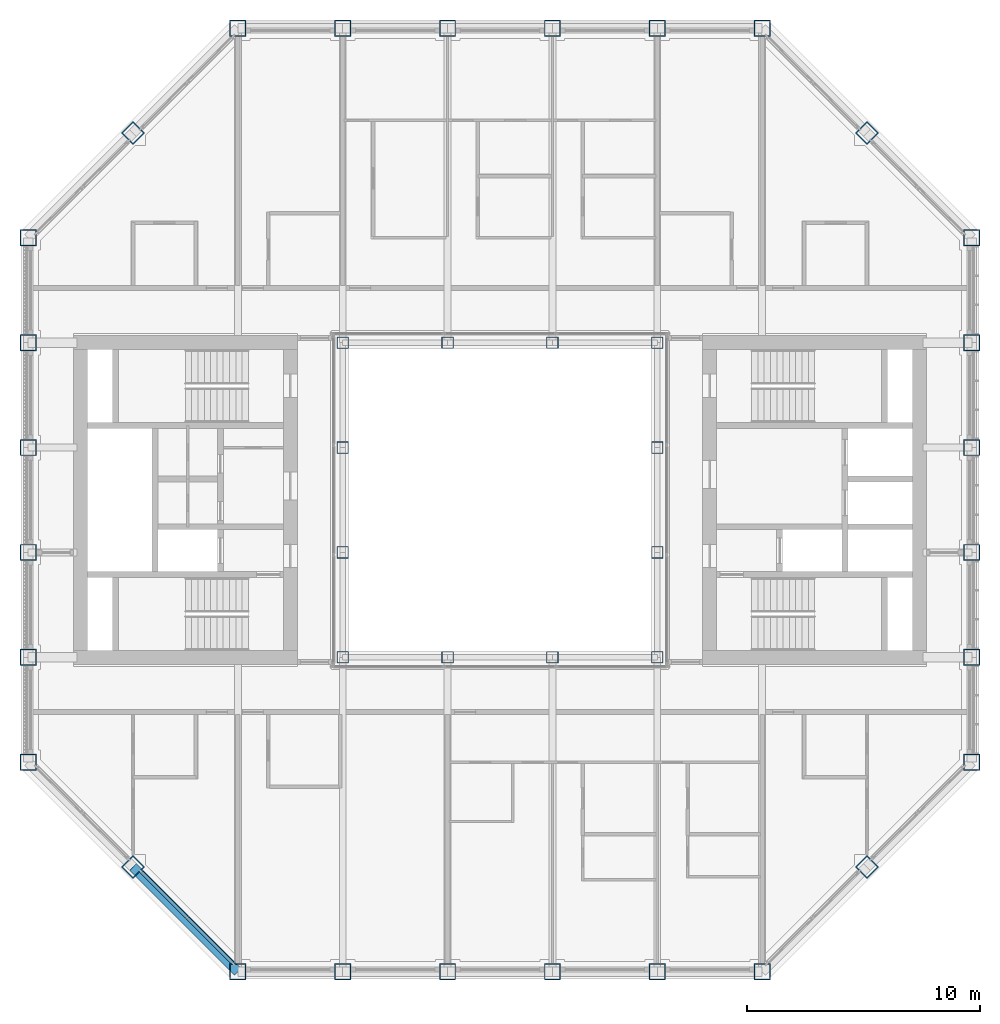
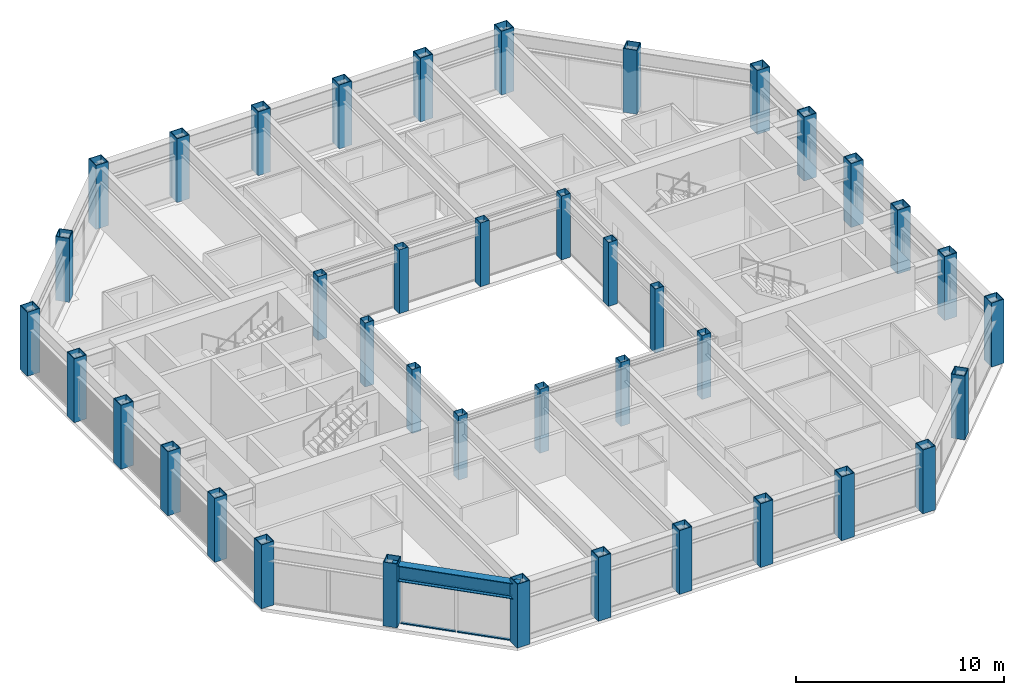
# One storey, part 1 of 17: 40 columns, 4 members, 1 beam, 1 element without a shape of its own.
"""IFC4 building model written with IfcOpenShell, lengths in metres."""

from ifc_helpers import new_model, si_unit, direction, frame, origin, origin_2d, place, context, subcontext, project, spatial, rectangle, hollow_rectangle, i_section, extrude, material, material_profile, profile_set, type_object, element, aggregate, save


model = new_model("IFC4")

# Units and contexts
model_context = context("Model", 3, precision=1e-05, world=origin(), true_north=direction((0.0, 1.0)))
body_context = subcontext(model_context, "Body", "Model", "MODEL_VIEW")
ifc_project = project(units=[si_unit("LENGTHUNIT", "METRE"), si_unit("AREAUNIT", "SQUARE_METRE"), si_unit("VOLUMEUNIT", "CUBIC_METRE"), si_unit("PLANEANGLEUNIT", "RADIAN"), si_unit("MASSUNIT", "GRAM", prefix="KILO")], contexts=[model_context])

# Site, building, storey
site_placement = place(None, origin())
site = spatial("IfcSite", under=ifc_project, at=site_placement, CompositionType="ELEMENT")
building_placement = place(site_placement, origin())
building = spatial("IfcBuilding", under=site, at=building_placement, Name="Msasa Ring Tower", CompositionType="ELEMENT")
storey_placement = place(building_placement, frame((0.0, 0.0, 242.050048828125)))
storey = spatial("IfcBuildingStorey", under=building, at=storey_placement, Name="L63", CompositionType="ELEMENT", Elevation=242.050048828125)

# Columns
ifc_material_1 = material(Name="Steel S355", Category="steel")
ifc_material_profile_1 = material_profile(ifc_material_1, hollow_rectangle(XDim=0.5, YDim=0.5, WallThickness=0.02490234375, at=origin_2d()), Name="BOX 500x500x25")
ifc_profile_set_1 = profile_set([ifc_material_profile_1], Name="Steel S355")
column_type_1 = type_object("IfcColumnType", Name="IC7 BOX 500x500x25", PredefinedType="COLUMN", material=ifc_profile_set_1)
for number, where, z_axis, x_axis, name in (
    (1, (-6.75, -6.75, 0.0), (0.0, 0.0, 1.0), (1.0, 0.0, 0.0), "Inner ring column IR-6.75-6.75 L63"),
    (2, (-6.75, -2.25, 0.0), (0.0, 0.0, 1.0), (1.0, 0.0, 0.0), "Inner ring column IR-6.75-2.25 L63"),
    (3, (-6.75, 2.25, 0.0), (0.0, 0.0, 1.0), (1.0, 0.0, 0.0), "Inner ring column IR-6.75+2.25 L63"),
    (4, (-6.75, 6.75, 0.0), (0.0, 0.0, 1.0), (1.0, 0.0, 0.0), "Inner ring column IR-6.75+6.75 L63"),
    (5, (-2.25, -6.75, 0.0), (0.0, 0.0, 1.0), (1.0, 0.0, 0.0), "Inner ring column IR-2.25-6.75 L63"),
    (6, (-2.25, 6.75, 0.0), (0.0, 0.0, 1.0), (1.0, 0.0, 0.0), "Inner ring column IR-2.25+6.75 L63"),
    (7, (2.25, -6.75, 0.0), (0.0, 0.0, 1.0), (1.0, 0.0, 0.0), "Inner ring column IR+2.25-6.75 L63"),
    (8, (2.25, 6.75, 0.0), (0.0, 0.0, 1.0), (1.0, 0.0, 0.0), "Inner ring column IR+2.25+6.75 L63"),
    (9, (6.75, -6.75, 0.0), (0.0, 0.0, 1.0), (1.0, 0.0, 0.0), "Inner ring column IR+6.75-6.75 L63"),
    (10, (6.75, -2.25, 0.0), (0.0, 0.0, 1.0), (1.0, 0.0, 0.0), "Inner ring column IR+6.75-2.25 L63"),
    (11, (6.75, 2.25, 0.0), (0.0, 0.0, 1.0), (1.0, 0.0, 0.0), "Inner ring column IR+6.75+2.25 L63"),
    (12, (6.75, 6.75, 0.0), (0.0, 0.0, 1.0), (1.0, 0.0, 0.0), "Inner ring column IR+6.75+6.75 L63"),
):
    element("IfcColumn", number, at=place(storey_placement, frame(where, z_axis=z_axis, x_axis=x_axis)), inside=storey, type_object=column_type_1, Name=name, PredefinedType="COLUMN", context=body_context, shape_type="SweptSolid", body=[
        extrude(hollow_rectangle(XDim=0.5, YDim=0.5, WallThickness=0.02490234375, at=origin_2d()), origin(), (0.0, 0.0, 1.0), 3.75),
    ])
ifc_material_2 = material(Name="Steel S355", Category="steel")
ifc_material_profile_2 = material_profile(ifc_material_2, hollow_rectangle(XDim=0.699951171875, YDim=0.699951171875, WallThickness=0.0400390625, at=origin_2d()), Name="BOX 700x700x40")
ifc_profile_set_2 = profile_set([ifc_material_profile_2], Name="Steel S355")
column_type_2 = type_object("IfcColumnType", Name="TC7 BOX 700x700x40", PredefinedType="COLUMN", material=ifc_profile_set_2)
for number, where, z_axis, x_axis, name in (
    (13, (-11.25, -20.25, 0.0), (0.0, 0.0, 1.0), (0.0, 1.0, 0.0), "Tube column S-11.25 L63"),
    (14, (-11.25, 20.25, 0.0), (0.0, 0.0, 1.0), (0.0, 1.0, 0.0), "Tube column N-11.25 L63"),
    (15, (20.25, -11.25, 0.0), (0.0, 0.0, 1.0), (1.0, 0.0, 0.0), "Tube column E-11.25 L63"),
    (16, (-20.25, -11.25, 0.0), (0.0, 0.0, 1.0), (1.0, 0.0, 0.0), "Tube column W-11.25 L63"),
    (17, (-6.75, -20.25, 0.0), (0.0, 0.0, 1.0), (0.0, 1.0, 0.0), "Tube column S-6.75 L63"),
    (18, (-6.75, 20.25, 0.0), (0.0, 0.0, 1.0), (0.0, 1.0, 0.0), "Tube column N-6.75 L63"),
    (19, (20.25, -6.75, 0.0), (0.0, 0.0, 1.0), (1.0, 0.0, 0.0), "Tube column E-6.75 L63"),
    (20, (-20.25, -6.75, 0.0), (0.0, 0.0, 1.0), (1.0, 0.0, 0.0), "Tube column W-6.75 L63"),
    (21, (-2.25, -20.25, 0.0), (0.0, 0.0, 1.0), (0.0, 1.0, 0.0), "Tube column S-2.25 L63"),
    (22, (-2.25, 20.25, 0.0), (0.0, 0.0, 1.0), (0.0, 1.0, 0.0), "Tube column N-2.25 L63"),
    (23, (20.25, -2.25, 0.0), (0.0, 0.0, 1.0), (1.0, 0.0, 0.0), "Tube column E-2.25 L63"),
    (24, (-20.25, -2.25, 0.0), (0.0, 0.0, 1.0), (1.0, 0.0, 0.0), "Tube column W-2.25 L63"),
    (25, (2.25, -20.25, 0.0), (0.0, 0.0, 1.0), (0.0, 1.0, 0.0), "Tube column S+2.25 L63"),
    (26, (2.25, 20.25, 0.0), (0.0, 0.0, 1.0), (0.0, 1.0, 0.0), "Tube column N+2.25 L63"),
    (27, (20.25, 2.25, 0.0), (0.0, 0.0, 1.0), (1.0, 0.0, 0.0), "Tube column E+2.25 L63"),
    (28, (-20.25, 2.25, 0.0), (0.0, 0.0, 1.0), (1.0, 0.0, 0.0), "Tube column W+2.25 L63"),
    (29, (6.75, -20.25, 0.0), (0.0, 0.0, 1.0), (0.0, 1.0, 0.0), "Tube column S+6.75 L63"),
    (30, (6.75, 20.25, 0.0), (0.0, 0.0, 1.0), (0.0, 1.0, 0.0), "Tube column N+6.75 L63"),
    (31, (20.25, 6.75, 0.0), (0.0, 0.0, 1.0), (1.0, 0.0, 0.0), "Tube column E+6.75 L63"),
    (32, (-20.25, 6.75, 0.0), (0.0, 0.0, 1.0), (1.0, 0.0, 0.0), "Tube column W+6.75 L63"),
    (33, (11.25, -20.25, 0.0), (0.0, 0.0, 1.0), (0.0, 1.0, 0.0), "Tube column S+11.25 L63"),
    (34, (11.25, 20.25, 0.0), (0.0, 0.0, 1.0), (0.0, 1.0, 0.0), "Tube column N+11.25 L63"),
    (35, (20.25, 11.25, 0.0), (0.0, 0.0, 1.0), (1.0, 0.0, 0.0), "Tube column E+11.25 L63"),
    (36, (-20.25, 11.25, 0.0), (0.0, 0.0, 1.0), (1.0, 0.0, 0.0), "Tube column W+11.25 L63"),
    (37, (15.75, -15.75, 0.0), (0.0, 0.0, 1.0), (0.707106781187, -0.707106781187, 0.0), "Tube column SE L63"),
    (38, (15.75, 15.75, 0.0), (0.0, 0.0, 1.0), (0.707106781187, 0.707106781187, 0.0), "Tube column NE L63"),
    (39, (-15.75, 15.75, 0.0), (0.0, 0.0, 1.0), (0.707106781187, -0.707106781187, 0.0), "Tube column NW L63"),
    (40, (-15.75, -15.75, 0.0), (0.0, 0.0, 1.0), (0.707106781187, 0.707106781187, 0.0), "Tube column SW L63"),
):
    element("IfcColumn", number, at=place(storey_placement, frame(where, z_axis=z_axis, x_axis=x_axis)), inside=storey, type_object=column_type_2, Name=name, PredefinedType="COLUMN", context=body_context, shape_type="SweptSolid", body=[
        extrude(hollow_rectangle(XDim=0.699951171875, YDim=0.699951171875, WallThickness=0.0400390625, at=origin_2d()), origin(), (0.0, 0.0, 1.0), 3.75),
    ])

# Curtain wall, members
ifc_material_3 = material(Name="Aluminium curtain wall with clear glass", Category="aluminium")
curtain_wall_type = type_object("IfcCurtainWallType", Name="CW-C CHAMFER CORNER CURTAIN WALL", PredefinedType="NOTDEFINED", material=ifc_material_3)
curtain_wall_placement = place(storey_placement, origin())
curtain_wall = element("IfcCurtainWall", 41, at=curtain_wall_placement, inside=storey, type_object=curtain_wall_type, Name="Chamfer corner curtain wall SW L63", PredefinedType="NOTDEFINED")
ifc_material_4 = material(Name="Aluminium transom", Category="aluminium")
ifc_material_profile_3 = material_profile(ifc_material_4, rectangle(XDim=0.139892578125, YDim=0.06494140625, at=origin_2d()), Name="AL 65x140")
ifc_profile_set_3 = profile_set([ifc_material_profile_3], Name="Aluminium transom")
member_type = type_object("IfcMemberType", Name="CW-C TRANSOM 65x140", PredefinedType="USERDEFINED", material=ifc_profile_set_3)
member_1_placement = place(storey_placement, frame((-15.38232421875, -15.976318359375, 0.032470703125), z_axis=(0.707106781187, -0.707106781187, 0.0), x_axis=(0.707106781187, 0.707106781187, 0.0)))
member_1 = element("IfcMember", 42, at=member_1_placement, type_object=member_type, Name="CW-C transom 1.1", ObjectType="TRANSOM", PredefinedType="USERDEFINED", context=body_context, shape_type="SweptSolid", body=[
    extrude(rectangle(XDim=0.139892578125, YDim=0.06494140625, at=origin_2d()), origin(), (0.0, 0.0, 1.0), 2.729248046875),
])
member_2_placement = place(storey_placement, frame((-15.38232421875, -15.976318359375, 2.596435546875), z_axis=(0.707106781187, -0.707106781187, 0.0), x_axis=(0.707106781187, 0.707106781187, 0.0)))
member_2 = element("IfcMember", 43, at=member_2_placement, type_object=member_type, Name="CW-C transom 1.2", ObjectType="TRANSOM", PredefinedType="USERDEFINED", context=body_context, shape_type="SweptSolid", body=[
    extrude(rectangle(XDim=0.139892578125, YDim=0.06494140625, at=origin_2d()), origin(), (0.0, 0.0, 1.0), 2.729248046875),
])
member_3_placement = place(storey_placement, frame((-13.40625, -17.952392578125, 0.032470703125), z_axis=(0.707106781187, -0.707106781187, 0.0), x_axis=(0.707106781187, 0.707106781187, 0.0)))
member_3 = element("IfcMember", 44, at=member_3_placement, type_object=member_type, Name="CW-C transom 2.1", ObjectType="TRANSOM", PredefinedType="USERDEFINED", context=body_context, shape_type="SweptSolid", body=[
    extrude(rectangle(XDim=0.139892578125, YDim=0.06494140625, at=origin_2d()), origin(), (0.0, 0.0, 1.0), 2.729248046875),
])
member_4_placement = place(storey_placement, frame((-13.40625, -17.952392578125, 2.596435546875), z_axis=(0.707106781187, -0.707106781187, 0.0), x_axis=(0.707106781187, 0.707106781187, 0.0)))
member_4 = element("IfcMember", 45, at=member_4_placement, type_object=member_type, Name="CW-C transom 2.2", ObjectType="TRANSOM", PredefinedType="USERDEFINED", context=body_context, shape_type="SweptSolid", body=[
    extrude(rectangle(XDim=0.139892578125, YDim=0.06494140625, at=origin_2d()), origin(), (0.0, 0.0, 1.0), 2.729248046875),
])
aggregate(curtain_wall, [member_1, member_2, member_3, member_4])

# Beam
ifc_material_5 = material(Name="Steel S355", Category="steel")
ifc_material_profile_4 = material_profile(ifc_material_5, i_section(OverallWidth=0.42041015625, OverallDepth=0.9208984375, WebThickness=0.021484375, FlangeThickness=0.03662109375, FilletRadius=0.024169921875, at=origin_2d()), Name="UB 914x419x388")
ifc_profile_set_4 = profile_set([ifc_material_profile_4], Name="Steel S355")
beam_type = type_object("IfcBeamType", Name="SB1 UB 914x419x388", PredefinedType="SPANDREL", material=ifc_profile_set_4)
beam_placement = place(storey_placement, frame((-15.75, -15.75, 3.08935546875), z_axis=(0.707106781187, -0.707106781187, 0.0), x_axis=(0.707106781187, 0.707106781187, 0.0)))
element("IfcBeam", 46, at=beam_placement, inside=storey, type_object=beam_type, Name="Spandrel SW to S-11.25 under L64", PredefinedType="SPANDREL", context=body_context, shape_type="SweptSolid", body=[
    extrude(i_section(OverallWidth=0.42041015625, OverallDepth=0.9208984375, WebThickness=0.021484375, FlangeThickness=0.03662109375, FilletRadius=0.024169921875, at=origin_2d()), origin(), (0.0, 0.0, 1.0), 6.364013671875),
])

save(model, "model.ifc")
